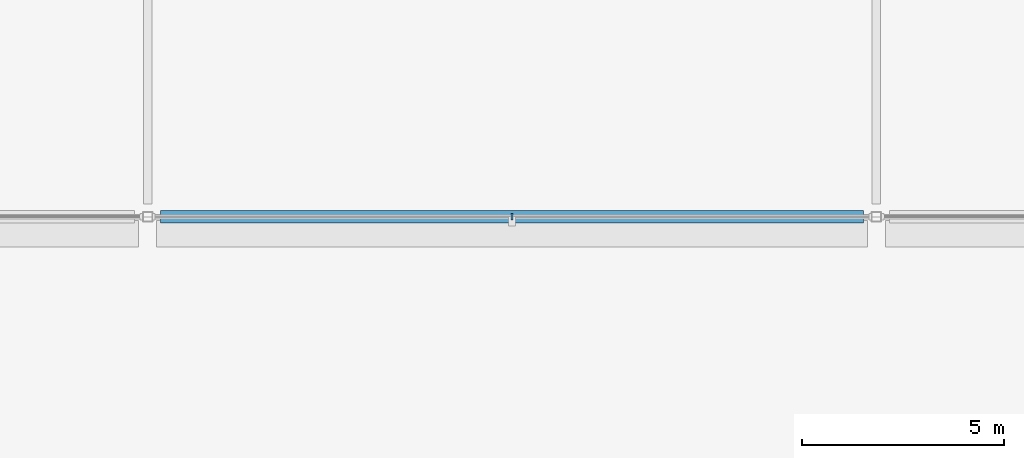
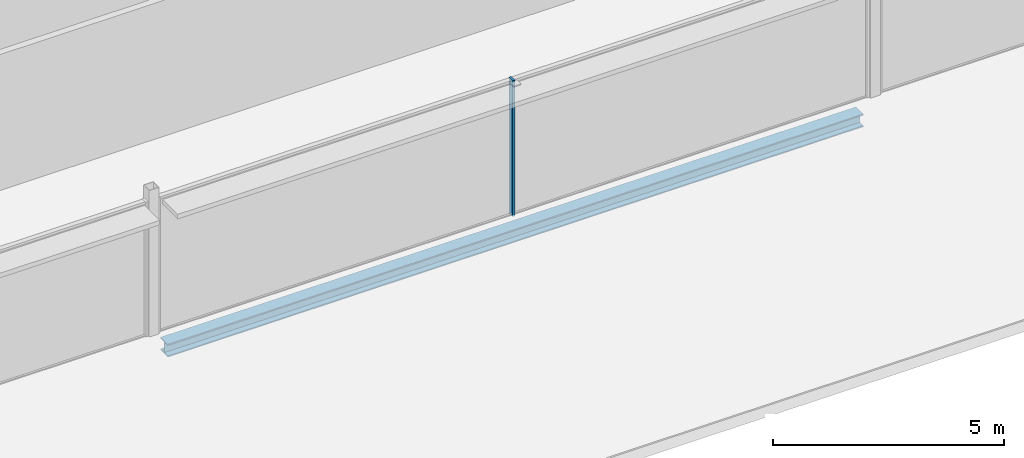
# One storey, part 37 of 105: 1 beam, 1 member, 1 element without a shape of its own.
"""IFC4 building model written with IfcOpenShell, lengths in metres."""

from ifc_helpers import new_model, si_unit, direction, frame, origin, origin_2d, place, context, subcontext, project, spatial, rectangle, i_section, extrude, material, layer, layer_set, material_profile, profile_set, type_object, element, aggregate, save


model = new_model("IFC4")

# Units and contexts
model_context = context("Model", 3, precision=1e-05, world=origin(), true_north=direction((0.0, 1.0)))
body_context = subcontext(model_context, "Body", "Model", "MODEL_VIEW")
ifc_project = project(units=[si_unit("LENGTHUNIT", "METRE"), si_unit("AREAUNIT", "SQUARE_METRE"), si_unit("VOLUMEUNIT", "CUBIC_METRE"), si_unit("PLANEANGLEUNIT", "RADIAN"), si_unit("MASSUNIT", "GRAM", prefix="KILO")], contexts=[model_context])

# Site, building, storey
site_placement = place(None, origin())
site = spatial("IfcSite", under=ifc_project, at=site_placement, CompositionType="ELEMENT")
building_placement = place(site_placement, origin())
building = spatial("IfcBuilding", under=site, at=building_placement, Name="Kisiwana Market Hall", CompositionType="ELEMENT")
storey_placement = place(building_placement, frame((0.0, 0.0, 21.60009765625)))
storey = spatial("IfcBuildingStorey", under=building, at=storey_placement, Name="L04", CompositionType="ELEMENT", Elevation=21.60009765625)

# Beam
ifc_material_1 = material(Name="Steel S355", Category="steel")
ifc_material_profile_1 = material_profile(ifc_material_1, i_section(OverallWidth=0.314453125, OverallDepth=0.33984375, WebThickness=0.01904296875, FlangeThickness=0.031494140625, at=origin_2d()), Name="UC 305x305x198")
ifc_profile_set_1 = profile_set([ifc_material_profile_1], Name="Steel S355")
beam_type = type_object("IfcBeamType", Name="BM-SKYBR-CHORD", PredefinedType="BEAM", material=ifc_profile_set_1)
beam_placement = place(storey_placement, frame((117.321044921875, 93.0, -0.462158203125), z_axis=(1.0, 0.0, 0.0), x_axis=(0.0, 1.0, 0.0)))
element("IfcBeam", 1, at=beam_placement, inside=storey, type_object=beam_type, Name="Floor beam B-1465", PredefinedType="BEAM", context=body_context, shape_type="SweptSolid", body=[
    extrude(i_section(OverallWidth=0.314453125, OverallDepth=0.33984375, WebThickness=0.01904296875, FlangeThickness=0.031494140625, at=origin_2d()), origin(), (0.0, 0.0, 1.0), 17.35791015625),
])

# Curtain wall, member
ifc_material_2 = material(Name="Double-glazed solar-control low-E IGU", Category="glass")
ifc_layer = layer(ifc_material_2, 0.159912109375)
ifc_layer_set = layer_set([ifc_layer], Name="CW-ZNA-EW-8200")
curtain_wall_type = type_object("IfcCurtainWallType", Name="CW-ZNA-EW-8200", PredefinedType="USERDEFINED", material=ifc_layer_set)
curtain_wall_placement = place(storey_placement, origin())
curtain_wall = element("IfcCurtainWall", 2, at=curtain_wall_placement, inside=storey, type_object=curtain_wall_type, Name="Unitised curtain wall CW-108 (L04)", ObjectType="UNITISED CURTAIN WALL", PredefinedType="USERDEFINED")
ifc_material_3 = material(Name="Aluminium alloy 6063-T6", Category="aluminium")
ifc_material_profile_2 = material_profile(ifc_material_3, rectangle(XDim=0.06005859375, YDim=0.159912109375, at=origin_2d()), Name="ALU MULLION 60x160")
ifc_profile_set_2 = profile_set([ifc_material_profile_2], Name="Aluminium alloy 6063-T6")
member_type = type_object("IfcMemberType", Name="CW-MULL-60x160", PredefinedType="MULLION", material=ifc_profile_set_2)
member_placement = place(storey_placement, frame((126.0, 93.0, 0.0), z_axis=(0.0, 0.0, 1.0), x_axis=(1.0, 0.0, 0.0)))
member = element("IfcMember", 3, at=member_placement, type_object=member_type, Name="CW-108 mullion 2", PredefinedType="MULLION", context=body_context, shape_type="SweptSolid", body=[
    extrude(rectangle(XDim=0.06005859375, YDim=0.159912109375, at=origin_2d()), origin(), (0.0, 0.0, 1.0), 3.5849609375),
])
aggregate(curtain_wall, [member])

save(model, "model.ifc")
